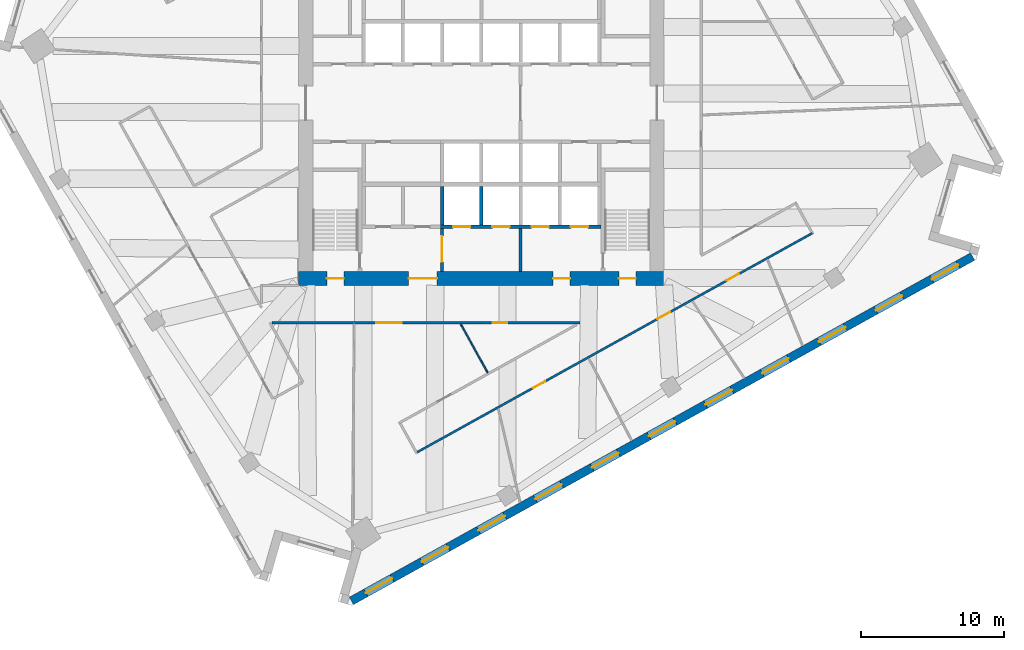
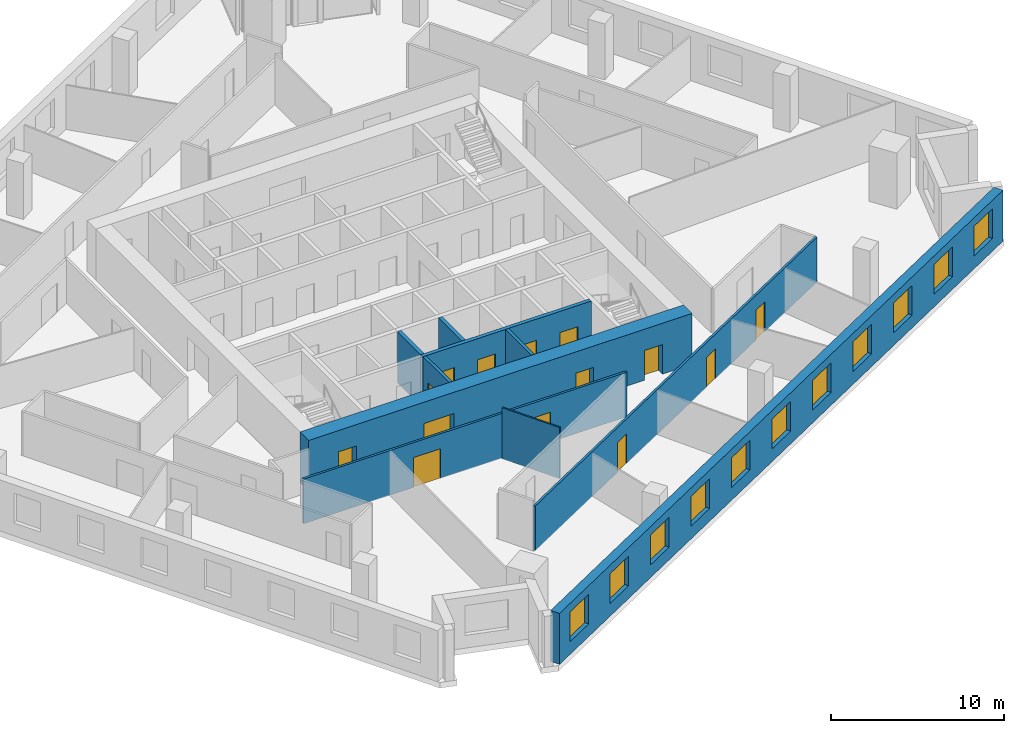
# One storey, part 6 of 12: 14 doors, 11 windows, 10 walls, 25 openings.
"""IFC4 building model written with IfcOpenShell, lengths in metres."""

from ifc_helpers import new_model, si_unit, direction, frame, frame_2d, origin, place, context, subcontext, project, spatial, rectangle, extrude, material, layer, layer_set, type_object, element, fill, save


model = new_model("IFC4")

# Units and contexts
model_context = context("Model", 3, precision=1e-05, world=origin(), true_north=direction((0.0, 1.0)))
body_context = subcontext(model_context, "Body", "Model", "MODEL_VIEW")
ifc_project = project(units=[si_unit("LENGTHUNIT", "METRE"), si_unit("AREAUNIT", "SQUARE_METRE"), si_unit("VOLUMEUNIT", "CUBIC_METRE"), si_unit("PLANEANGLEUNIT", "RADIAN"), si_unit("MASSUNIT", "GRAM", prefix="KILO")], contexts=[model_context])

# Site, building, storey
site_placement = place(None, origin())
site = spatial("IfcSite", under=ifc_project, at=site_placement, CompositionType="ELEMENT")
building_placement = place(site_placement, origin())
building = spatial("IfcBuilding", under=site, at=building_placement, Name="Dilmun Exchange Tower", CompositionType="ELEMENT")
storey_placement = place(building_placement, frame((0.0, 0.0, 139.699951171875)))
storey = spatial("IfcBuildingStorey", under=building, at=storey_placement, Name="L32", CompositionType="ELEMENT", Elevation=139.699951171875)

# Wall, opening, door
ifc_material_1 = material(Name="Concrete C40/50", Category="concrete")
ifc_layer_1 = layer(ifc_material_1, 0.199951171875)
ifc_layer_set_1 = layer_set([ifc_layer_1], Name="Concrete C40/50")
wall_type_1 = type_object("IfcWallType", Name="Core partition wall 200", PredefinedType="PARTITIONING", material=ifc_layer_set_1)
wall_1_placement = place(storey_placement, frame((-2.75, -11.794921875, 0.0), z_axis=(0.0, 0.0, 1.0), x_axis=(0.0, 1.0, 0.0)))
wall_1 = element("IfcWall", 1, at=wall_1_placement, inside=storey, type_object=wall_type_1, Name="L32 core partition wall 01", PredefinedType="PARTITIONING", context=body_context, shape_type="SweptSolid", body=[
    extrude(rectangle(XDim=2.989990234375, YDim=0.199951171875, at=frame_2d((1.4951171875, 0.0))), origin(), (0.0, 0.0, 1.0), 3.60009765625),
])
opening_1_placement = place(wall_1_placement, frame((0.657470703125, 0.0, 0.0)))
opening_1 = element("IfcOpeningElement", 2, at=opening_1_placement, cuts=wall_1, Name="Opening CD5", PredefinedType="OPENING", context=body_context, shape_type="SweptSolid", body=[
    extrude(rectangle(XDim=1.800048828125, YDim=2.10009765625, at=frame_2d((0.89990234375, 1.050048828125))), frame((0.0, 0.10986328125, 0.0), z_axis=(0.0, -1.0, 0.0), x_axis=(1.0, 0.0, 0.0)), (0.0, 0.0, 1.0), 0.219970703125),
])
ifc_material_2 = material(Name="Fire-rated steel door set", Category="steel")
door_type_1 = type_object("IfcDoorType", Name="Stair exit door 1800x2100", OperationType="SINGLE_SWING_LEFT", PredefinedType="DOOR", material=ifc_material_2)
door_1_placement = place(opening_1_placement, origin())
door_1 = element("IfcDoor", 3, at=door_1_placement, inside=storey, type_object=door_type_1, Name="L32 door Service lobby east", OperationType="SINGLE_SWING_LEFT", OverallHeight=2.10009765625, OverallWidth=1.800048828125, PredefinedType="DOOR", context=body_context, shape_type="SweptSolid", body=[
    extrude(rectangle(XDim=1.800048828125, YDim=2.10009765625, at=frame_2d((0.89990234375, 1.050048828125))), frame((0.0, 0.02490234375, 0.0), z_axis=(0.0, -1.0, 0.0), x_axis=(1.0, 0.0, 0.0)), (0.0, 0.0, 1.0), 0.050048828125),
])
fill(opening_1, door_1)

# Wall
wall_2_placement = place(storey_placement, frame((2.75, -11.794921875, 0.0), z_axis=(0.0, 0.0, 1.0), x_axis=(0.0, 1.0, 0.0)))
element("IfcWall", 4, at=wall_2_placement, inside=storey, type_object=wall_type_1, Name="L32 core partition wall 02", PredefinedType="PARTITIONING", context=body_context, shape_type="SweptSolid", body=[
    extrude(rectangle(XDim=2.989990234375, YDim=0.199951171875, at=frame_2d((1.4951171875, 0.0))), origin(), (0.0, 0.0, 1.0), 3.60009765625),
])

# Wall, openings, doors
ifc_material_3 = material(Name="Concrete C70/85", Category="concrete")
ifc_layer_2 = layer(ifc_material_3, 1.0)
ifc_layer_set_2 = layer_set([ifc_layer_2], Name="Concrete C70/85")
wall_type_2 = type_object("IfcWallType", Name="Core shear wall 1000 Concrete C70/85", PredefinedType="SHEAR", material=ifc_layer_set_2)
wall_3_placement = place(storey_placement, frame((-12.800048828125, -12.300048828125, 0.0), z_axis=(0.0, 0.0, 1.0), x_axis=(1.0, 0.0, 0.0)))
wall_3 = element("IfcWall", 5, at=wall_3_placement, inside=storey, type_object=wall_type_2, Name="L32 core shear wall S", PredefinedType="SHEAR", context=body_context, shape_type="SweptSolid", body=[
    extrude(rectangle(XDim=25.60009765625, YDim=1.0, at=frame_2d((12.800048828125, 0.0))), origin(), (0.0, 0.0, 1.0), 3.60009765625),
])
opening_2_placement = place(wall_3_placement, frame((7.699951171875, 0.0, 0.0)))
opening_2 = element("IfcOpeningElement", 6, at=opening_2_placement, cuts=wall_3, Name="Opening CD2", PredefinedType="OPENING", context=body_context, shape_type="SweptSolid", body=[
    extrude(rectangle(XDim=2.0, YDim=2.10009765625, at=frame_2d((1.0, 1.050048828125))), frame((0.0, 0.510009765625, 0.0), z_axis=(0.0, -1.0, 0.0), x_axis=(1.0, 0.0, 0.0)), (0.0, 0.0, 1.0), 1.02001953125),
])
opening_3_placement = place(wall_3_placement, frame((17.824951171875, 0.0, 0.0)))
opening_3 = element("IfcOpeningElement", 7, at=opening_3_placement, cuts=wall_3, Name="Opening CD3", PredefinedType="OPENING", context=body_context, shape_type="SweptSolid", body=[
    extrude(rectangle(XDim=1.199951171875, YDim=2.10009765625, at=frame_2d((0.60009765625, 1.050048828125))), frame((0.0, 0.510009765625, 0.0), z_axis=(0.0, -1.0, 0.0), x_axis=(1.0, 0.0, 0.0)), (0.0, 0.0, 1.0), 1.02001953125),
])
opening_4_placement = place(wall_3_placement, frame((1.97509765625, 0.0, 0.0)))
opening_4 = element("IfcOpeningElement", 8, at=opening_4_placement, cuts=wall_3, Name="Opening CD3", PredefinedType="OPENING", context=body_context, shape_type="SweptSolid", body=[
    extrude(rectangle(XDim=1.199951171875, YDim=2.10009765625, at=frame_2d((0.60009765625, 1.050048828125))), frame((0.0, 0.510009765625, 0.0), z_axis=(0.0, -1.0, 0.0), x_axis=(1.0, 0.0, 0.0)), (0.0, 0.0, 1.0), 1.02001953125),
])
opening_5_placement = place(wall_3_placement, frame((22.425048828125, 0.0, 0.0)))
opening_5 = element("IfcOpeningElement", 9, at=opening_5_placement, cuts=wall_3, Name="Opening CD3", PredefinedType="OPENING", context=body_context, shape_type="SweptSolid", body=[
    extrude(rectangle(XDim=1.199951171875, YDim=2.10009765625, at=frame_2d((0.60009765625, 1.050048828125))), frame((0.0, 0.510009765625, 0.0), z_axis=(0.0, -1.0, 0.0), x_axis=(1.0, 0.0, 0.0)), (0.0, 0.0, 1.0), 1.02001953125),
])
door_type_2 = type_object("IfcDoorType", Name="Core service door 2000x2100", OperationType="DOUBLE_DOOR_DOUBLE_SWING", PredefinedType="DOOR", material=ifc_material_2)
door_2_placement = place(opening_2_placement, origin())
door_2 = element("IfcDoor", 10, at=door_2_placement, inside=storey, type_object=door_type_2, Name="L32 door South service lobby", OperationType="SINGLE_SWING_LEFT", OverallHeight=2.10009765625, OverallWidth=2.0, PredefinedType="DOOR", context=body_context, shape_type="SweptSolid", body=[
    extrude(rectangle(XDim=2.0, YDim=2.10009765625, at=frame_2d((1.0, 1.050048828125))), frame((0.0, 0.02490234375, 0.0), z_axis=(0.0, -1.0, 0.0), x_axis=(1.0, 0.0, 0.0)), (0.0, 0.0, 1.0), 0.050048828125),
])
fill(opening_2, door_2)
door_type_3 = type_object("IfcDoorType", Name="Stair exit door 1200x2100", OperationType="SINGLE_SWING_LEFT", PredefinedType="DOOR", material=ifc_material_2)
door_3_placement = place(opening_3_placement, origin())
door_3 = element("IfcDoor", 11, at=door_3_placement, inside=storey, type_object=door_type_3, Name="L32 door Fire-fighting lobby", OperationType="SINGLE_SWING_LEFT", OverallHeight=2.10009765625, OverallWidth=1.199951171875, PredefinedType="DOOR", context=body_context, shape_type="SweptSolid", body=[
    extrude(rectangle(XDim=1.199951171875, YDim=2.10009765625, at=frame_2d((0.60009765625, 1.050048828125))), frame((0.0, 0.02490234375, 0.0), z_axis=(0.0, -1.0, 0.0), x_axis=(1.0, 0.0, 0.0)), (0.0, 0.0, 1.0), 0.050048828125),
])
fill(opening_3, door_3)
door_4_placement = place(opening_4_placement, origin())
door_4 = element("IfcDoor", 12, at=door_4_placement, inside=storey, type_object=door_type_3, Name="L32 door Stair ST2", OperationType="SINGLE_SWING_LEFT", OverallHeight=2.10009765625, OverallWidth=1.199951171875, PredefinedType="DOOR", context=body_context, shape_type="SweptSolid", body=[
    extrude(rectangle(XDim=1.199951171875, YDim=2.10009765625, at=frame_2d((0.60009765625, 1.050048828125))), frame((0.0, 0.02490234375, 0.0), z_axis=(0.0, -1.0, 0.0), x_axis=(1.0, 0.0, 0.0)), (0.0, 0.0, 1.0), 0.050048828125),
])
fill(opening_4, door_4)
door_5_placement = place(opening_5_placement, origin())
door_5 = element("IfcDoor", 13, at=door_5_placement, inside=storey, type_object=door_type_3, Name="L32 door Stair ST3", OperationType="SINGLE_SWING_LEFT", OverallHeight=2.10009765625, OverallWidth=1.199951171875, PredefinedType="DOOR", context=body_context, shape_type="SweptSolid", body=[
    extrude(rectangle(XDim=1.199951171875, YDim=2.10009765625, at=frame_2d((0.60009765625, 1.050048828125))), frame((0.0, 0.02490234375, 0.0), z_axis=(0.0, -1.0, 0.0), x_axis=(1.0, 0.0, 0.0)), (0.0, 0.0, 1.0), 0.050048828125),
])
fill(opening_5, door_5)

ifc_material_4 = material(Name="Corridor wall 150")
ifc_layer_3 = layer(ifc_material_4, 0.14990234375)
ifc_layer_set_3 = layer_set([ifc_layer_3], Name="Corridor wall 150")
wall_type_3 = type_object("IfcWallType", Name="Corridor wall 150", PredefinedType="PARTITIONING", material=ifc_layer_set_3)
wall_4_placement = place(storey_placement, frame((-14.68359375, -15.39990234375, 0.0), z_axis=(0.0, 0.0, 1.0), x_axis=(1.0, 0.0, 0.0)))
wall_4 = element("IfcWall", 14, at=wall_4_placement, inside=storey, type_object=wall_type_3, Name="Corridor wall", PredefinedType="PARTITIONING", context=body_context, shape_type="SweptSolid", body=[
    extrude(rectangle(XDim=21.595703125, YDim=0.14990234375, at=frame_2d((10.7978515625, 0.0))), origin(), (0.0, 0.0, 1.0), 3.150146484375),
])
opening_6_placement = place(wall_4_placement, frame((7.322265625, 0.0, 0.0)))
opening_6 = element("IfcOpeningElement", 15, at=opening_6_placement, cuts=wall_4, Name="Opening TF31-D10", PredefinedType="OPENING", context=body_context, shape_type="SweptSolid", body=[
    extrude(rectangle(XDim=1.800048828125, YDim=2.10009765625, at=frame_2d((0.89990234375, 1.050048828125))), frame((0.0, 0.0849609375, 0.0), z_axis=(0.0, -1.0, 0.0), x_axis=(1.0, 0.0, 0.0)), (0.0, 0.0, 1.0), 0.169921875),
])
opening_7_placement = place(wall_4_placement, frame((15.4873046875, 0.0, 0.0)))
opening_7 = element("IfcOpeningElement", 16, at=opening_7_placement, cuts=wall_4, Name="Opening TF31-D13", PredefinedType="OPENING", context=body_context, shape_type="SweptSolid", body=[
    extrude(rectangle(XDim=1.0, YDim=2.10009765625, at=frame_2d((0.5, 1.050048828125))), frame((0.0, 0.0849609375, 0.0), z_axis=(0.0, -1.0, 0.0), x_axis=(1.0, 0.0, 0.0)), (0.0, 0.0, 1.0), 0.169921875),
])
ifc_material_5 = material(Name="Fire door 1000 x 2100")
door_type_4 = type_object("IfcDoorType", Name="Fire door 1000 x 2100", OperationType="NOTDEFINED", PredefinedType="DOOR", material=ifc_material_5)
door_6_placement = place(opening_7_placement, frame((1.0, 0.0, 0.0), z_axis=(0.0, 0.0, 1.0), x_axis=(-1.0, 0.0, 0.0)))
door_6 = element("IfcDoor", 17, at=door_6_placement, inside=storey, type_object=door_type_4, Name="Door TF31-D13", OperationType="SINGLE_SWING_LEFT", OverallHeight=2.10009765625, OverallWidth=1.0, PredefinedType="DOOR", context=body_context, shape_type="SweptSolid", body=[
    extrude(rectangle(XDim=1.0, YDim=2.10009765625, at=frame_2d((0.5, 1.050048828125))), frame((0.0, 0.02490234375, 0.0), z_axis=(0.0, -1.0, 0.0), x_axis=(1.0, 0.0, 0.0)), (0.0, 0.0, 1.0), 0.050048828125),
])
fill(opening_7, door_6)
ifc_material_6 = material(Name="Fire door pair 1800 x 2100")
door_type_5 = type_object("IfcDoorType", Name="Fire door pair 1800 x 2100", OperationType="NOTDEFINED", PredefinedType="DOOR", material=ifc_material_6)
door_7_placement = place(opening_6_placement, frame((1.800048828125, 0.0, 0.0), z_axis=(0.0, 0.0, 1.0), x_axis=(-1.0, 0.0, 0.0)))
door_7 = element("IfcDoor", 18, at=door_7_placement, inside=storey, type_object=door_type_5, Name="Door TF31-D10", OperationType="DOUBLE_DOOR_SINGLE_SWING", OverallHeight=2.10009765625, OverallWidth=1.800048828125, PredefinedType="DOOR", context=body_context, shape_type="SweptSolid", body=[
    extrude(rectangle(XDim=1.800048828125, YDim=2.10009765625, at=frame_2d((0.89990234375, 1.050048828125))), frame((0.0, 0.02490234375, 0.0), z_axis=(0.0, -1.0, 0.0), x_axis=(1.0, 0.0, 0.0)), (0.0, 0.0, 1.0), 0.050048828125),
])
fill(opening_6, door_7)

wall_5_placement = place(storey_placement, frame((-4.484375, -24.461669921875, 0.0), z_axis=(0.0, 0.0, 1.0), x_axis=(0.874618059696, 0.484812592301, 0.0)))
wall_5 = element("IfcWall", 19, at=wall_5_placement, inside=storey, type_object=wall_type_3, Name="Corridor wall", PredefinedType="PARTITIONING", context=body_context, shape_type="SweptSolid", body=[
    extrude(rectangle(XDim=31.63818359375, YDim=0.14990234375, at=frame_2d((15.819091796875, 0.0))), origin(), (0.0, 0.0, 1.0), 3.150146484375),
])
opening_8_placement = place(wall_5_placement, frame((9.25, 0.0, 0.0)))
opening_8 = element("IfcOpeningElement", 20, at=opening_8_placement, cuts=wall_5, Name="Opening TF31-D14", PredefinedType="OPENING", context=body_context, shape_type="SweptSolid", body=[
    extrude(rectangle(XDim=1.0, YDim=2.10009765625, at=frame_2d((0.5, 1.050048828125))), frame((0.0, 0.0849609375, 0.0), z_axis=(0.0, -1.0, 0.0), x_axis=(1.0, 0.0, 0.0)), (0.0, 0.0, 1.0), 0.169921875),
])
opening_9_placement = place(wall_5_placement, frame((19.23876953125, 0.0, 0.0)))
opening_9 = element("IfcOpeningElement", 21, at=opening_9_placement, cuts=wall_5, Name="Opening TF31-D17", PredefinedType="OPENING", context=body_context, shape_type="SweptSolid", body=[
    extrude(rectangle(XDim=1.0, YDim=2.10009765625, at=frame_2d((0.5, 1.050048828125))), frame((0.0, 0.0849609375, 0.0), z_axis=(0.0, -1.0, 0.0), x_axis=(1.0, 0.0, 0.0)), (0.0, 0.0, 1.0), 0.169921875),
])
opening_10_placement = place(wall_5_placement, frame((24.7724609375, 0.0, 0.0)))
opening_10 = element("IfcOpeningElement", 22, at=opening_10_placement, cuts=wall_5, Name="Opening TF31-D19", PredefinedType="OPENING", context=body_context, shape_type="SweptSolid", body=[
    extrude(rectangle(XDim=1.0, YDim=2.10009765625, at=frame_2d((0.5, 1.050048828125))), frame((0.0, 0.0849609375, 0.0), z_axis=(0.0, -1.0, 0.0), x_axis=(1.0, 0.0, 0.0)), (0.0, 0.0, 1.0), 0.169921875),
])
door_8_placement = place(opening_8_placement, frame((1.0, 0.0, 0.0), z_axis=(0.0, 0.0, 1.0), x_axis=(-1.0, 0.0, 0.0)))
door_8 = element("IfcDoor", 23, at=door_8_placement, inside=storey, type_object=door_type_4, Name="Door TF31-D14", OperationType="SINGLE_SWING_RIGHT", OverallHeight=2.10009765625, OverallWidth=1.0, PredefinedType="DOOR", context=body_context, shape_type="SweptSolid", body=[
    extrude(rectangle(XDim=1.0, YDim=2.10009765625, at=frame_2d((0.5, 1.050048828125))), frame((0.0, 0.02490234375, 0.0), z_axis=(0.0, -1.0, 0.0), x_axis=(1.0, 0.0, 0.0)), (0.0, 0.0, 1.0), 0.050048828125),
])
fill(opening_8, door_8)
door_9_placement = place(opening_9_placement, frame((1.0, 0.0, 0.0), z_axis=(0.0, 0.0, 1.0), x_axis=(-1.0, 0.0, 0.0)))
door_9 = element("IfcDoor", 24, at=door_9_placement, inside=storey, type_object=door_type_4, Name="Door TF31-D17", OperationType="SINGLE_SWING_RIGHT", OverallHeight=2.10009765625, OverallWidth=1.0, PredefinedType="DOOR", context=body_context, shape_type="SweptSolid", body=[
    extrude(rectangle(XDim=1.0, YDim=2.10009765625, at=frame_2d((0.5, 1.050048828125))), frame((0.0, 0.02490234375, 0.0), z_axis=(0.0, -1.0, 0.0), x_axis=(1.0, 0.0, 0.0)), (0.0, 0.0, 1.0), 0.050048828125),
])
fill(opening_9, door_9)
door_10_placement = place(opening_10_placement, frame((1.0, 0.0, 0.0), z_axis=(0.0, 0.0, 1.0), x_axis=(-1.0, 0.0, 0.0)))
door_10 = element("IfcDoor", 25, at=door_10_placement, inside=storey, type_object=door_type_4, Name="Door TF31-D19", OperationType="SINGLE_SWING_RIGHT", OverallHeight=2.10009765625, OverallWidth=1.0, PredefinedType="DOOR", context=body_context, shape_type="SweptSolid", body=[
    extrude(rectangle(XDim=1.0, YDim=2.10009765625, at=frame_2d((0.5, 1.050048828125))), frame((0.0, 0.02490234375, 0.0), z_axis=(0.0, -1.0, 0.0), x_axis=(1.0, 0.0, 0.0)), (0.0, 0.0, 1.0), 0.050048828125),
])
fill(opening_10, door_10)

ifc_layer_4 = layer(ifc_material_1, 0.25)
ifc_layer_set_4 = layer_set([ifc_layer_4], Name="Concrete C40/50")
wall_type_4 = type_object("IfcWallType", Name="Lift shaft wall 250", PredefinedType="SOLIDWALL", material=ifc_layer_set_4)
wall_6_placement = place(storey_placement, frame((-2.875, -8.675048828125, 0.0), z_axis=(0.0, 0.0, 1.0), x_axis=(1.0, 0.0, 0.0)))
wall_6 = element("IfcWall", 26, at=wall_6_placement, inside=storey, type_object=wall_type_4, Name="L32 lift shaft front wall S2", PredefinedType="SOLIDWALL", context=body_context, shape_type="SweptSolid", body=[
    extrude(rectangle(XDim=11.25, YDim=0.25, at=frame_2d((5.625, 0.0))), origin(), (0.0, 0.0, 1.0), 3.60009765625),
])
opening_11_placement = place(wall_6_placement, frame((0.89990234375, 0.0, 0.0)))
opening_11 = element("IfcOpeningElement", 27, at=opening_11_placement, cuts=wall_6, Name="Opening LD", PredefinedType="OPENING", context=body_context, shape_type="SweptSolid", body=[
    extrude(rectangle(XDim=1.199951171875, YDim=2.10009765625, at=frame_2d((0.60009765625, 1.050048828125))), frame((0.0, 0.135009765625, 0.0), z_axis=(0.0, -1.0, 0.0), x_axis=(1.0, 0.0, 0.0)), (0.0, 0.0, 1.0), 0.27001953125),
])
opening_12_placement = place(wall_6_placement, frame((3.64990234375, 0.0, 0.0)))
opening_12 = element("IfcOpeningElement", 28, at=opening_12_placement, cuts=wall_6, Name="Opening LD", PredefinedType="OPENING", context=body_context, shape_type="SweptSolid", body=[
    extrude(rectangle(XDim=1.199951171875, YDim=2.10009765625, at=frame_2d((0.60009765625, 1.050048828125))), frame((0.0, 0.135009765625, 0.0), z_axis=(0.0, -1.0, 0.0), x_axis=(1.0, 0.0, 0.0)), (0.0, 0.0, 1.0), 0.27001953125),
])
opening_13_placement = place(wall_6_placement, frame((6.39990234375, 0.0, 0.0)))
opening_13 = element("IfcOpeningElement", 29, at=opening_13_placement, cuts=wall_6, Name="Opening LD", PredefinedType="OPENING", context=body_context, shape_type="SweptSolid", body=[
    extrude(rectangle(XDim=1.199951171875, YDim=2.10009765625, at=frame_2d((0.60009765625, 1.050048828125))), frame((0.0, 0.135009765625, 0.0), z_axis=(0.0, -1.0, 0.0), x_axis=(1.0, 0.0, 0.0)), (0.0, 0.0, 1.0), 0.27001953125),
])
opening_14_placement = place(wall_6_placement, frame((9.14990234375, 0.0, 0.0)))
opening_14 = element("IfcOpeningElement", 30, at=opening_14_placement, cuts=wall_6, Name="Opening LD", PredefinedType="OPENING", context=body_context, shape_type="SweptSolid", body=[
    extrude(rectangle(XDim=1.199951171875, YDim=2.10009765625, at=frame_2d((0.60009765625, 1.050048828125))), frame((0.0, 0.135009765625, 0.0), z_axis=(0.0, -1.0, 0.0), x_axis=(1.0, 0.0, 0.0)), (0.0, 0.0, 1.0), 0.27001953125),
])
door_type_6 = type_object("IfcDoorType", Name="Lift landing door 1200x2100", OperationType="DOUBLE_DOOR_SLIDING", PredefinedType="DOOR", material=ifc_material_2)
door_11_placement = place(opening_11_placement, origin())
door_11 = element("IfcDoor", 31, at=door_11_placement, inside=storey, type_object=door_type_6, Name="L32 landing door SV1", OperationType="DOUBLE_DOOR_SLIDING", OverallHeight=2.10009765625, OverallWidth=1.199951171875, PredefinedType="DOOR", context=body_context, shape_type="SweptSolid", body=[
    extrude(rectangle(XDim=1.199951171875, YDim=2.10009765625, at=frame_2d((0.60009765625, 1.050048828125))), frame((0.0, 0.02490234375, 0.0), z_axis=(0.0, -1.0, 0.0), x_axis=(1.0, 0.0, 0.0)), (0.0, 0.0, 1.0), 0.050048828125),
])
fill(opening_11, door_11)
door_12_placement = place(opening_12_placement, origin())
door_12 = element("IfcDoor", 32, at=door_12_placement, inside=storey, type_object=door_type_6, Name="L32 landing door SV2", OperationType="DOUBLE_DOOR_SLIDING", OverallHeight=2.10009765625, OverallWidth=1.199951171875, PredefinedType="DOOR", context=body_context, shape_type="SweptSolid", body=[
    extrude(rectangle(XDim=1.199951171875, YDim=2.10009765625, at=frame_2d((0.60009765625, 1.050048828125))), frame((0.0, 0.02490234375, 0.0), z_axis=(0.0, -1.0, 0.0), x_axis=(1.0, 0.0, 0.0)), (0.0, 0.0, 1.0), 0.050048828125),
])
fill(opening_12, door_12)
door_13_placement = place(opening_13_placement, origin())
door_13 = element("IfcDoor", 33, at=door_13_placement, inside=storey, type_object=door_type_6, Name="L32 landing door FF1", OperationType="DOUBLE_DOOR_SLIDING", OverallHeight=2.10009765625, OverallWidth=1.199951171875, PredefinedType="DOOR", context=body_context, shape_type="SweptSolid", body=[
    extrude(rectangle(XDim=1.199951171875, YDim=2.10009765625, at=frame_2d((0.60009765625, 1.050048828125))), frame((0.0, 0.02490234375, 0.0), z_axis=(0.0, -1.0, 0.0), x_axis=(1.0, 0.0, 0.0)), (0.0, 0.0, 1.0), 0.050048828125),
])
fill(opening_13, door_13)
door_14_placement = place(opening_14_placement, origin())
door_14 = element("IfcDoor", 34, at=door_14_placement, inside=storey, type_object=door_type_6, Name="L32 landing door FF2", OperationType="DOUBLE_DOOR_SLIDING", OverallHeight=2.10009765625, OverallWidth=1.199951171875, PredefinedType="DOOR", context=body_context, shape_type="SweptSolid", body=[
    extrude(rectangle(XDim=1.199951171875, YDim=2.10009765625, at=frame_2d((0.60009765625, 1.050048828125))), frame((0.0, 0.02490234375, 0.0), z_axis=(0.0, -1.0, 0.0), x_axis=(1.0, 0.0, 0.0)), (0.0, 0.0, 1.0), 0.050048828125),
])
fill(opening_14, door_14)

# Walls
for number, where, z_axis, x_axis, name in (
    (35, (-2.75, -8.550048828125, 0.0), (0.0, 0.0, 1.0), (0.0, 1.0, 0.0), "L32 lift shaft divider S22"),
    (36, (0.0, -8.550048828125, 0.0), (0.0, 0.0, 1.0), (0.0, 1.0, 0.0), "L32 lift shaft divider S23"),
):
    element("IfcWall", number, at=place(storey_placement, frame(where, z_axis=z_axis, x_axis=x_axis)), inside=storey, type_object=wall_type_4, Name=name, PredefinedType="SOLIDWALL", context=body_context, shape_type="SweptSolid", body=[
        extrude(rectangle(XDim=2.699951171875, YDim=0.25, at=frame_2d((1.35009765625, 0.0))), origin(), (0.0, 0.0, 1.0), 3.60009765625),
    ])
ifc_material_7 = material(Name="Partition 100")
ifc_layer_5 = layer(ifc_material_7, 0.10009765625)
ifc_layer_set_5 = layer_set([ifc_layer_5], Name="Partition 100")
wall_type_5 = type_object("IfcWallType", Name="Partition 100", PredefinedType="PARTITIONING", material=ifc_layer_set_5)
wall_7_placement = place(storey_placement, frame((-1.44091796875, -15.499267578125, 0.0), z_axis=(0.0, 0.0, 1.0), x_axis=(0.484661708709, -0.874701679495, 0.0)))
element("IfcWall", 37, at=wall_7_placement, inside=storey, type_object=wall_type_5, Name="Partition", PredefinedType="PARTITIONING", context=body_context, shape_type="SweptSolid", body=[
    extrude(rectangle(XDim=3.888427734375, YDim=0.10009765625, at=frame_2d((1.9443359375, 0.0))), origin(), (0.0, 0.0, 1.0), 3.60009765625),
])

# Wall, openings, windows
ifc_material_8 = material(Name="Precast concrete C50/60", Category="concrete")
ifc_layer_6 = layer(ifc_material_8, 0.60009765625)
ifc_layer_set_6 = layer_set([ifc_layer_6], Name="Precast concrete C50/60")
wall_type_6 = type_object("IfcWallType", Name="Precast stone-clad wall 600", PredefinedType="STANDARD", material=ifc_layer_set_6)
wall_8_placement = place(storey_placement, frame((-9.103271484375, -34.8876953125, 0.0), z_axis=(0.0, 0.0, 1.0), x_axis=(0.874618897425, 0.484811081007, 0.0)))
wall_8 = element("IfcWall", 38, at=wall_8_placement, inside=storey, type_object=wall_type_6, Name="Facade wall L32-15", PredefinedType="STANDARD", context=body_context, shape_type="SweptSolid", body=[
    extrude(rectangle(XDim=49.75146484375, YDim=0.60009765625, at=frame_2d((24.875732421875, 0.0))), origin(), (0.0, 0.0, 1.0), 3.60009765625),
])
opening_15_placement = place(wall_8_placement, frame((1.16064453125, 0.0, 0.89990234375)))
opening_15 = element("IfcOpeningElement", 39, at=opening_15_placement, cuts=wall_8, Name="Opening W210-210", PredefinedType="OPENING", context=body_context, shape_type="SweptSolid", body=[
    extrude(rectangle(XDim=2.10009765625, YDim=2.10009765625, at=frame_2d((1.050048828125, 1.050048828125))), frame((0.0, 0.31005859375, 0.0), z_axis=(0.0, -1.0, 0.0), x_axis=(1.0, 0.0, 0.0)), (0.0, 0.0, 1.0), 0.6201171875),
])
opening_16_placement = place(wall_8_placement, frame((5.643798828125, 0.0, 0.89990234375)))
opening_16 = element("IfcOpeningElement", 40, at=opening_16_placement, cuts=wall_8, Name="Opening W210-210", PredefinedType="OPENING", context=body_context, shape_type="SweptSolid", body=[
    extrude(rectangle(XDim=2.10009765625, YDim=2.10009765625, at=frame_2d((1.050048828125, 1.050048828125))), frame((0.0, 0.31005859375, 0.0), z_axis=(0.0, -1.0, 0.0), x_axis=(1.0, 0.0, 0.0)), (0.0, 0.0, 1.0), 0.6201171875),
])
opening_17_placement = place(wall_8_placement, frame((10.189453125, 0.0, 0.89990234375)))
opening_17 = element("IfcOpeningElement", 41, at=opening_17_placement, cuts=wall_8, Name="Opening W210-210", PredefinedType="OPENING", context=body_context, shape_type="SweptSolid", body=[
    extrude(rectangle(XDim=2.10009765625, YDim=2.10009765625, at=frame_2d((1.050048828125, 1.050048828125))), frame((0.0, 0.31005859375, 0.0), z_axis=(0.0, -1.0, 0.0), x_axis=(1.0, 0.0, 0.0)), (0.0, 0.0, 1.0), 0.6201171875),
])
opening_18_placement = place(wall_8_placement, frame((14.73486328125, 0.0, 0.89990234375)))
opening_18 = element("IfcOpeningElement", 42, at=opening_18_placement, cuts=wall_8, Name="Opening W210-210", PredefinedType="OPENING", context=body_context, shape_type="SweptSolid", body=[
    extrude(rectangle(XDim=2.10009765625, YDim=2.10009765625, at=frame_2d((1.050048828125, 1.050048828125))), frame((0.0, 0.31005859375, 0.0), z_axis=(0.0, -1.0, 0.0), x_axis=(1.0, 0.0, 0.0)), (0.0, 0.0, 1.0), 0.6201171875),
])
opening_19_placement = place(wall_8_placement, frame((19.2802734375, 0.0, 0.89990234375)))
opening_19 = element("IfcOpeningElement", 43, at=opening_19_placement, cuts=wall_8, Name="Opening W210-210", PredefinedType="OPENING", context=body_context, shape_type="SweptSolid", body=[
    extrude(rectangle(XDim=2.10009765625, YDim=2.10009765625, at=frame_2d((1.050048828125, 1.050048828125))), frame((0.0, 0.31005859375, 0.0), z_axis=(0.0, -1.0, 0.0), x_axis=(1.0, 0.0, 0.0)), (0.0, 0.0, 1.0), 0.6201171875),
])
opening_20_placement = place(wall_8_placement, frame((23.82568359375, 0.0, 0.89990234375)))
opening_20 = element("IfcOpeningElement", 44, at=opening_20_placement, cuts=wall_8, Name="Opening W210-210", PredefinedType="OPENING", context=body_context, shape_type="SweptSolid", body=[
    extrude(rectangle(XDim=2.10009765625, YDim=2.10009765625, at=frame_2d((1.050048828125, 1.050048828125))), frame((0.0, 0.31005859375, 0.0), z_axis=(0.0, -1.0, 0.0), x_axis=(1.0, 0.0, 0.0)), (0.0, 0.0, 1.0), 0.6201171875),
])
opening_21_placement = place(wall_8_placement, frame((28.37109375, 0.0, 0.89990234375)))
opening_21 = element("IfcOpeningElement", 45, at=opening_21_placement, cuts=wall_8, Name="Opening W210-210", PredefinedType="OPENING", context=body_context, shape_type="SweptSolid", body=[
    extrude(rectangle(XDim=2.10009765625, YDim=2.10009765625, at=frame_2d((1.050048828125, 1.050048828125))), frame((0.0, 0.31005859375, 0.0), z_axis=(0.0, -1.0, 0.0), x_axis=(1.0, 0.0, 0.0)), (0.0, 0.0, 1.0), 0.6201171875),
])
opening_22_placement = place(wall_8_placement, frame((32.91650390625, 0.0, 0.89990234375)))
opening_22 = element("IfcOpeningElement", 46, at=opening_22_placement, cuts=wall_8, Name="Opening W210-210", PredefinedType="OPENING", context=body_context, shape_type="SweptSolid", body=[
    extrude(rectangle(XDim=2.10009765625, YDim=2.10009765625, at=frame_2d((1.050048828125, 1.050048828125))), frame((0.0, 0.31005859375, 0.0), z_axis=(0.0, -1.0, 0.0), x_axis=(1.0, 0.0, 0.0)), (0.0, 0.0, 1.0), 0.6201171875),
])
opening_23_placement = place(wall_8_placement, frame((37.462158203125, 0.0, 0.89990234375)))
opening_23 = element("IfcOpeningElement", 47, at=opening_23_placement, cuts=wall_8, Name="Opening W210-210", PredefinedType="OPENING", context=body_context, shape_type="SweptSolid", body=[
    extrude(rectangle(XDim=2.10009765625, YDim=2.10009765625, at=frame_2d((1.050048828125, 1.050048828125))), frame((0.0, 0.31005859375, 0.0), z_axis=(0.0, -1.0, 0.0), x_axis=(1.0, 0.0, 0.0)), (0.0, 0.0, 1.0), 0.6201171875),
])
opening_24_placement = place(wall_8_placement, frame((42.007568359375, 0.0, 0.89990234375)))
opening_24 = element("IfcOpeningElement", 48, at=opening_24_placement, cuts=wall_8, Name="Opening W210-210", PredefinedType="OPENING", context=body_context, shape_type="SweptSolid", body=[
    extrude(rectangle(XDim=2.10009765625, YDim=2.10009765625, at=frame_2d((1.050048828125, 1.050048828125))), frame((0.0, 0.31005859375, 0.0), z_axis=(0.0, -1.0, 0.0), x_axis=(1.0, 0.0, 0.0)), (0.0, 0.0, 1.0), 0.6201171875),
])
opening_25_placement = place(wall_8_placement, frame((46.490966796875, 0.0, 0.89990234375)))
opening_25 = element("IfcOpeningElement", 49, at=opening_25_placement, cuts=wall_8, Name="Opening W210-210", PredefinedType="OPENING", context=body_context, shape_type="SweptSolid", body=[
    extrude(rectangle(XDim=2.10009765625, YDim=2.10009765625, at=frame_2d((1.050048828125, 1.050048828125))), frame((0.0, 0.31005859375, 0.0), z_axis=(0.0, -1.0, 0.0), x_axis=(1.0, 0.0, 0.0)), (0.0, 0.0, 1.0), 0.6201171875),
])
ifc_material_9 = material(Name="Clear low-emissivity glass in aluminium frame", Category="aluminium")
window_type = type_object("IfcWindowType", Name="Punched window 2100 x 2100", PartitioningType="DOUBLE_PANEL_VERTICAL", PredefinedType="WINDOW", material=ifc_material_9)
window_1_placement = place(opening_15_placement, origin())
window_1 = element("IfcWindow", 50, at=window_1_placement, inside=storey, type_object=window_type, Name="Window 16.1", OverallHeight=2.10009765625, OverallWidth=2.10009765625, PartitioningType="SINGLE_PANEL", PredefinedType="WINDOW", context=body_context, shape_type="SweptSolid", body=[
    extrude(rectangle(XDim=2.10009765625, YDim=2.10009765625, at=frame_2d((1.050048828125, 1.050048828125))), frame((0.0, 0.030029296875, 0.0), z_axis=(0.0, -1.0, 0.0), x_axis=(1.0, 0.0, 0.0)), (0.0, 0.0, 1.0), 0.06005859375),
])
fill(opening_15, window_1)
window_2_placement = place(opening_16_placement, origin())
window_2 = element("IfcWindow", 51, at=window_2_placement, inside=storey, type_object=window_type, Name="Window 16.2", OverallHeight=2.10009765625, OverallWidth=2.10009765625, PartitioningType="SINGLE_PANEL", PredefinedType="WINDOW", context=body_context, shape_type="SweptSolid", body=[
    extrude(rectangle(XDim=2.10009765625, YDim=2.10009765625, at=frame_2d((1.050048828125, 1.050048828125))), frame((0.0, 0.030029296875, 0.0), z_axis=(0.0, -1.0, 0.0), x_axis=(1.0, 0.0, 0.0)), (0.0, 0.0, 1.0), 0.06005859375),
])
fill(opening_16, window_2)
window_3_placement = place(opening_17_placement, origin())
window_3 = element("IfcWindow", 52, at=window_3_placement, inside=storey, type_object=window_type, Name="Window 16.3", OverallHeight=2.10009765625, OverallWidth=2.10009765625, PartitioningType="SINGLE_PANEL", PredefinedType="WINDOW", context=body_context, shape_type="SweptSolid", body=[
    extrude(rectangle(XDim=2.10009765625, YDim=2.10009765625, at=frame_2d((1.050048828125, 1.050048828125))), frame((0.0, 0.030029296875, 0.0), z_axis=(0.0, -1.0, 0.0), x_axis=(1.0, 0.0, 0.0)), (0.0, 0.0, 1.0), 0.06005859375),
])
fill(opening_17, window_3)
window_4_placement = place(opening_18_placement, origin())
window_4 = element("IfcWindow", 53, at=window_4_placement, inside=storey, type_object=window_type, Name="Window 16.4", OverallHeight=2.10009765625, OverallWidth=2.10009765625, PartitioningType="SINGLE_PANEL", PredefinedType="WINDOW", context=body_context, shape_type="SweptSolid", body=[
    extrude(rectangle(XDim=2.10009765625, YDim=2.10009765625, at=frame_2d((1.050048828125, 1.050048828125))), frame((0.0, 0.030029296875, 0.0), z_axis=(0.0, -1.0, 0.0), x_axis=(1.0, 0.0, 0.0)), (0.0, 0.0, 1.0), 0.06005859375),
])
fill(opening_18, window_4)
window_5_placement = place(opening_19_placement, origin())
window_5 = element("IfcWindow", 54, at=window_5_placement, inside=storey, type_object=window_type, Name="Window 16.5", OverallHeight=2.10009765625, OverallWidth=2.10009765625, PartitioningType="SINGLE_PANEL", PredefinedType="WINDOW", context=body_context, shape_type="SweptSolid", body=[
    extrude(rectangle(XDim=2.10009765625, YDim=2.10009765625, at=frame_2d((1.050048828125, 1.050048828125))), frame((0.0, 0.030029296875, 0.0), z_axis=(0.0, -1.0, 0.0), x_axis=(1.0, 0.0, 0.0)), (0.0, 0.0, 1.0), 0.06005859375),
])
fill(opening_19, window_5)
window_6_placement = place(opening_20_placement, origin())
window_6 = element("IfcWindow", 55, at=window_6_placement, inside=storey, type_object=window_type, Name="Window 16.6", OverallHeight=2.10009765625, OverallWidth=2.10009765625, PartitioningType="SINGLE_PANEL", PredefinedType="WINDOW", context=body_context, shape_type="SweptSolid", body=[
    extrude(rectangle(XDim=2.10009765625, YDim=2.10009765625, at=frame_2d((1.050048828125, 1.050048828125))), frame((0.0, 0.030029296875, 0.0), z_axis=(0.0, -1.0, 0.0), x_axis=(1.0, 0.0, 0.0)), (0.0, 0.0, 1.0), 0.06005859375),
])
fill(opening_20, window_6)
window_7_placement = place(opening_21_placement, origin())
window_7 = element("IfcWindow", 56, at=window_7_placement, inside=storey, type_object=window_type, Name="Window 16.7", OverallHeight=2.10009765625, OverallWidth=2.10009765625, PartitioningType="SINGLE_PANEL", PredefinedType="WINDOW", context=body_context, shape_type="SweptSolid", body=[
    extrude(rectangle(XDim=2.10009765625, YDim=2.10009765625, at=frame_2d((1.050048828125, 1.050048828125))), frame((0.0, 0.030029296875, 0.0), z_axis=(0.0, -1.0, 0.0), x_axis=(1.0, 0.0, 0.0)), (0.0, 0.0, 1.0), 0.06005859375),
])
fill(opening_21, window_7)
window_8_placement = place(opening_22_placement, origin())
window_8 = element("IfcWindow", 57, at=window_8_placement, inside=storey, type_object=window_type, Name="Window 16.8", OverallHeight=2.10009765625, OverallWidth=2.10009765625, PartitioningType="SINGLE_PANEL", PredefinedType="WINDOW", context=body_context, shape_type="SweptSolid", body=[
    extrude(rectangle(XDim=2.10009765625, YDim=2.10009765625, at=frame_2d((1.050048828125, 1.050048828125))), frame((0.0, 0.030029296875, 0.0), z_axis=(0.0, -1.0, 0.0), x_axis=(1.0, 0.0, 0.0)), (0.0, 0.0, 1.0), 0.06005859375),
])
fill(opening_22, window_8)
window_9_placement = place(opening_23_placement, origin())
window_9 = element("IfcWindow", 58, at=window_9_placement, inside=storey, type_object=window_type, Name="Window 16.9", OverallHeight=2.10009765625, OverallWidth=2.10009765625, PartitioningType="SINGLE_PANEL", PredefinedType="WINDOW", context=body_context, shape_type="SweptSolid", body=[
    extrude(rectangle(XDim=2.10009765625, YDim=2.10009765625, at=frame_2d((1.050048828125, 1.050048828125))), frame((0.0, 0.030029296875, 0.0), z_axis=(0.0, -1.0, 0.0), x_axis=(1.0, 0.0, 0.0)), (0.0, 0.0, 1.0), 0.06005859375),
])
fill(opening_23, window_9)
window_10_placement = place(opening_24_placement, origin())
window_10 = element("IfcWindow", 59, at=window_10_placement, inside=storey, type_object=window_type, Name="Window 16.10", OverallHeight=2.10009765625, OverallWidth=2.10009765625, PartitioningType="SINGLE_PANEL", PredefinedType="WINDOW", context=body_context, shape_type="SweptSolid", body=[
    extrude(rectangle(XDim=2.10009765625, YDim=2.10009765625, at=frame_2d((1.050048828125, 1.050048828125))), frame((0.0, 0.030029296875, 0.0), z_axis=(0.0, -1.0, 0.0), x_axis=(1.0, 0.0, 0.0)), (0.0, 0.0, 1.0), 0.06005859375),
])
fill(opening_24, window_10)
window_11_placement = place(opening_25_placement, origin())
window_11 = element("IfcWindow", 60, at=window_11_placement, inside=storey, type_object=window_type, Name="Window 16.11", OverallHeight=2.10009765625, OverallWidth=2.10009765625, PartitioningType="SINGLE_PANEL", PredefinedType="WINDOW", context=body_context, shape_type="SweptSolid", body=[
    extrude(rectangle(XDim=2.10009765625, YDim=2.10009765625, at=frame_2d((1.050048828125, 1.050048828125))), frame((0.0, 0.030029296875, 0.0), z_axis=(0.0, -1.0, 0.0), x_axis=(1.0, 0.0, 0.0)), (0.0, 0.0, 1.0), 0.06005859375),
])
fill(opening_25, window_11)

save(model, "model.ifc")
